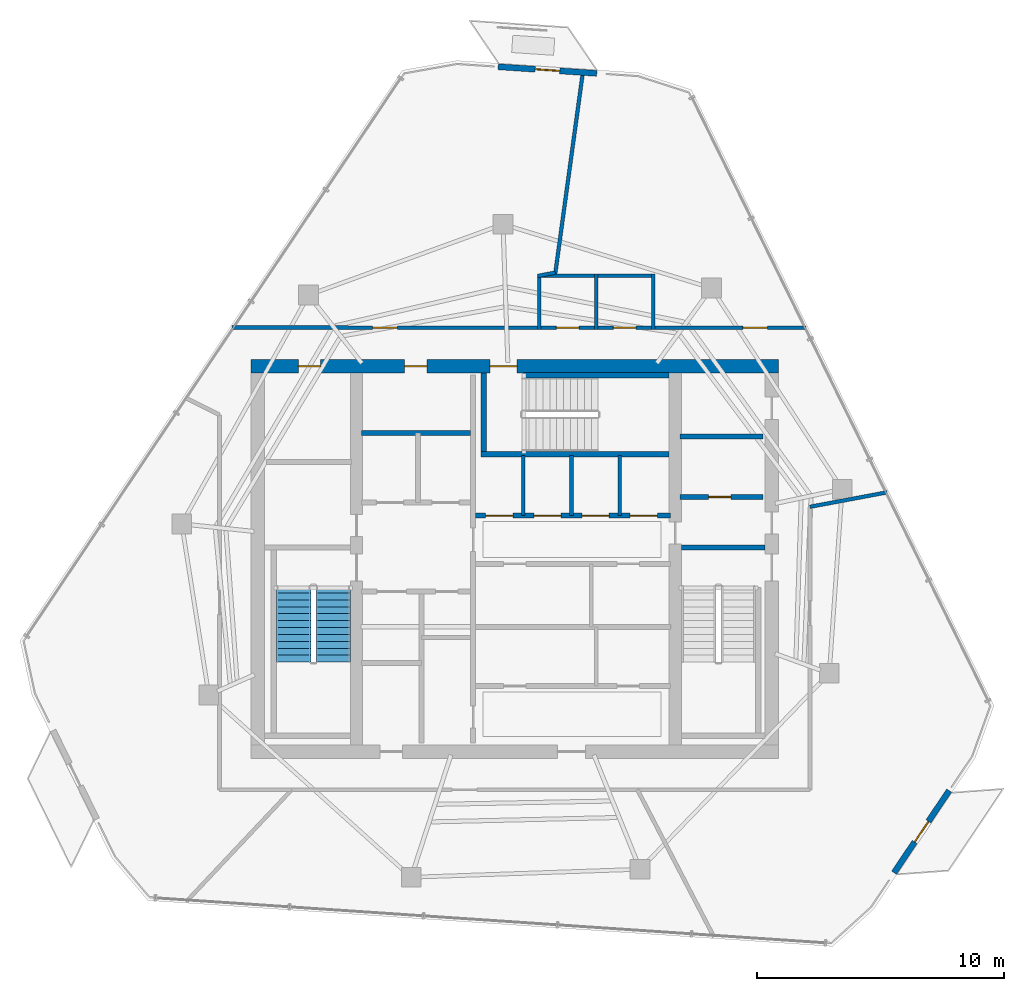
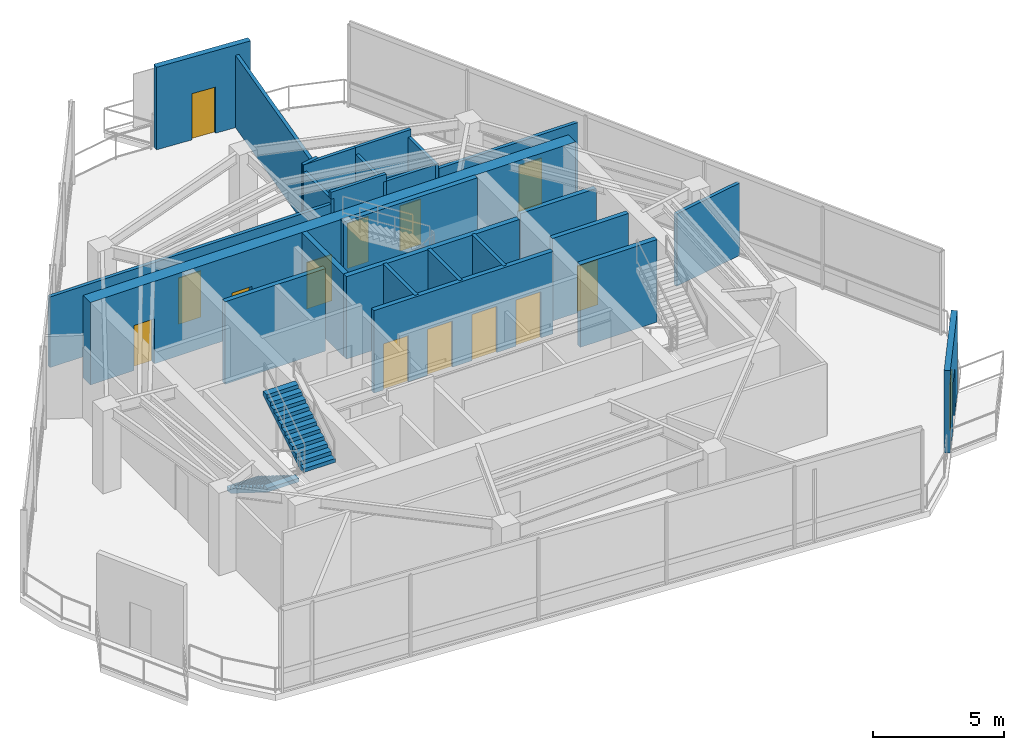
# One storey, part 15 of 18: 26 walls, 14 doors, 2 stair flights, 14 openings, 1 element without a shape of its own.
"""IFC4 building model written with IfcOpenShell, lengths in metres."""

from ifc_helpers import new_model, si_unit, direction, frame, frame_2d, origin, place, context, subcontext, project, spatial, polyline, rectangle, outline, extrude, material, layer, layer_set, type_object, element, fill, aggregate, save


model = new_model("IFC4")

# Units and contexts
model_context = context("Model", 3, precision=1e-05, world=origin(), true_north=direction((0.0, 1.0)))
body_context = subcontext(model_context, "Body", "Model", "MODEL_VIEW")
ifc_project = project(units=[si_unit("LENGTHUNIT", "METRE"), si_unit("AREAUNIT", "SQUARE_METRE"), si_unit("VOLUMEUNIT", "CUBIC_METRE"), si_unit("PLANEANGLEUNIT", "RADIAN"), si_unit("MASSUNIT", "GRAM", prefix="KILO")], contexts=[model_context])

# Site, building, storey
site_placement = place(None, origin())
site = spatial("IfcSite", under=ifc_project, at=site_placement, CompositionType="ELEMENT")
building_placement = place(site_placement, origin())
building = spatial("IfcBuilding", under=site, at=building_placement, Name="Qarnah Convention Tower", CompositionType="ELEMENT")
storey_placement = place(building_placement, frame((0.0, 0.0, 279.300048828125)))
storey = spatial("IfcBuildingStorey", under=building, at=storey_placement, Name="L75", CompositionType="ELEMENT", Elevation=279.300048828125)

# Wall, openings, doors
ifc_material_1 = material(Name="Concrete C60/75", Category="concrete")
ifc_layer_1 = layer(ifc_material_1, 0.550048828125)
ifc_layer_set_1 = layer_set([ifc_layer_1], Name="Concrete C60/75")
wall_type_1 = type_object("IfcWallType", Name="WL-CORE-550", PredefinedType="SHEAR", material=ifc_layer_set_1)
wall_1_placement = place(storey_placement, frame((26.52490234375, 34.199951171875, 0.0), z_axis=(0.0, 0.0, 1.0), x_axis=(1.0, 0.0, 0.0)))
wall_1 = element("IfcWall", 1, at=wall_1_placement, inside=storey, type_object=wall_type_1, Name="L75 core north shear wall", PredefinedType="SHEAR", context=body_context, shape_type="SweptSolid", body=[
    extrude(rectangle(XDim=21.35009765625, YDim=0.550048828125, at=frame_2d((10.675048828125, 0.0))), origin(), (0.0, 0.0, 1.0), 3.83984375),
])
opening_1_placement = place(wall_1_placement, frame((9.675048828125, 0.0, 0.0)))
opening_1 = element("IfcOpeningElement", 2, at=opening_1_placement, cuts=wall_1, Name="Opening D-7503", PredefinedType="OPENING", context=body_context, shape_type="SweptSolid", body=[
    extrude(rectangle(XDim=1.10009765625, YDim=2.14990234375, at=frame_2d((0.550048828125, 1.074951171875))), frame((0.0, 0.284912109375, 0.0), z_axis=(0.0, -1.0, 0.0), x_axis=(1.0, 0.0, 0.0)), (0.0, 0.0, 1.0), 0.570068359375),
])
opening_2_placement = place(wall_1_placement, frame((1.925048828125, 0.0, 0.0)))
opening_2 = element("IfcOpeningElement", 3, at=opening_2_placement, cuts=wall_1, Name="Opening D-7509", PredefinedType="OPENING", context=body_context, shape_type="SweptSolid", body=[
    extrude(rectangle(XDim=0.89990234375, YDim=2.10009765625, at=frame_2d((0.449951171875, 1.050048828125))), frame((0.0, 0.284912109375, 0.0), z_axis=(0.0, -1.0, 0.0), x_axis=(1.0, 0.0, 0.0)), (0.0, 0.0, 1.0), 0.570068359375),
])
opening_3_placement = place(wall_1_placement, frame((6.22509765625, 0.0, 0.0)))
opening_3 = element("IfcOpeningElement", 4, at=opening_3_placement, cuts=wall_1, Name="Opening D-7510", PredefinedType="OPENING", context=body_context, shape_type="SweptSolid", body=[
    extrude(rectangle(XDim=0.89990234375, YDim=2.10009765625, at=frame_2d((0.449951171875, 1.050048828125))), frame((0.0, 0.284912109375, 0.0), z_axis=(0.0, -1.0, 0.0), x_axis=(1.0, 0.0, 0.0)), (0.0, 0.0, 1.0), 0.570068359375),
])
ifc_material_2 = material(Name="Structural steel S355JR", Category="steel")
door_type_1 = type_object("IfcDoorType", Name="DT-RISER-900", OperationType="NOTDEFINED", PredefinedType="DOOR", material=ifc_material_2)
door_1_placement = place(opening_2_placement, origin())
door_1 = element("IfcDoor", 5, at=door_1_placement, inside=storey, type_object=door_type_1, Name="Door D-7509", OperationType="SINGLE_SWING_RIGHT", OverallHeight=2.10009765625, OverallWidth=0.89990234375, PredefinedType="DOOR", context=body_context, shape_type="SweptSolid", body=[
    extrude(rectangle(XDim=0.89990234375, YDim=2.10009765625, at=frame_2d((0.449951171875, 1.050048828125))), frame((0.0, 0.02490234375, 0.0), z_axis=(0.0, -1.0, 0.0), x_axis=(1.0, 0.0, 0.0)), (0.0, 0.0, 1.0), 0.050048828125),
])
fill(opening_2, door_1)
door_2_placement = place(opening_3_placement, origin())
door_2 = element("IfcDoor", 6, at=door_2_placement, inside=storey, type_object=door_type_1, Name="Door D-7510", OperationType="SINGLE_SWING_LEFT", OverallHeight=2.10009765625, OverallWidth=0.89990234375, PredefinedType="DOOR", context=body_context, shape_type="SweptSolid", body=[
    extrude(rectangle(XDim=0.89990234375, YDim=2.10009765625, at=frame_2d((0.449951171875, 1.050048828125))), frame((0.0, 0.02490234375, 0.0), z_axis=(0.0, -1.0, 0.0), x_axis=(1.0, 0.0, 0.0)), (0.0, 0.0, 1.0), 0.050048828125),
])
fill(opening_3, door_2)
door_type_2 = type_object("IfcDoorType", Name="DT-STAIR-1100", OperationType="NOTDEFINED", PredefinedType="DOOR", material=ifc_material_2)
door_3_placement = place(opening_1_placement, origin())
door_3 = element("IfcDoor", 7, at=door_3_placement, inside=storey, type_object=door_type_2, Name="Door D-7503", OperationType="SINGLE_SWING_RIGHT", OverallHeight=2.14990234375, OverallWidth=1.10009765625, PredefinedType="DOOR", context=body_context, shape_type="SweptSolid", body=[
    extrude(rectangle(XDim=1.10009765625, YDim=2.14990234375, at=frame_2d((0.550048828125, 1.074951171875))), frame((0.0, 0.02490234375, 0.0), z_axis=(0.0, -1.0, 0.0), x_axis=(1.0, 0.0, 0.0)), (0.0, 0.0, 1.0), 0.050048828125),
])
fill(opening_1, door_3)

# Wall, opening, door
ifc_material_3 = material(Name="Concrete C45/55", Category="concrete")
ifc_layer_2 = layer(ifc_material_3, 0.199951171875)
ifc_layer_set_2 = layer_set([ifc_layer_2], Name="Concrete C45/55")
wall_type_2 = type_object("IfcWallType", Name="WL-CORE-PART-200", PredefinedType="SOLIDWALL", material=ifc_layer_set_2)
wall_2_placement = place(storey_placement, frame((43.89990234375, 28.89990234375, 0.0), z_axis=(0.0, 0.0, 1.0), x_axis=(1.0, 0.0, 0.0)))
wall_2 = element("IfcWall", 8, at=wall_2_placement, inside=storey, type_object=wall_type_2, Name="L75 interior wall IW-L75-EVSTN", PredefinedType="SOLIDWALL", context=body_context, shape_type="SweptSolid", body=[
    extrude(rectangle(XDim=3.35009765625, YDim=0.199951171875, at=frame_2d((1.675048828125, 0.0))), origin(), (0.0, 0.0, 1.0), 3.83984375),
])
opening_4_placement = place(wall_2_placement, frame((1.14990234375, 0.0, 0.0)))
opening_4 = element("IfcOpeningElement", 9, at=opening_4_placement, cuts=wall_2, Name="Opening D-7511", PredefinedType="OPENING", context=body_context, shape_type="SweptSolid", body=[
    extrude(rectangle(XDim=0.89990234375, YDim=2.10009765625, at=frame_2d((0.449951171875, 1.050048828125))), frame((0.0, 0.10986328125, 0.0), z_axis=(0.0, -1.0, 0.0), x_axis=(1.0, 0.0, 0.0)), (0.0, 0.0, 1.0), 0.219970703125),
])
door_4_placement = place(opening_4_placement, origin())
door_4 = element("IfcDoor", 10, at=door_4_placement, inside=storey, type_object=door_type_1, Name="Door D-7511", OperationType="SINGLE_SWING_RIGHT", OverallHeight=2.10009765625, OverallWidth=0.89990234375, PredefinedType="DOOR", context=body_context, shape_type="SweptSolid", body=[
    extrude(rectangle(XDim=0.89990234375, YDim=2.10009765625, at=frame_2d((0.449951171875, 1.050048828125))), frame((0.0, 0.02490234375, 0.0), z_axis=(0.0, -1.0, 0.0), x_axis=(1.0, 0.0, 0.0)), (0.0, 0.0, 1.0), 0.050048828125),
])
fill(opening_4, door_4)

# Walls
wall_3_placement = place(storey_placement, frame((43.89990234375, 31.35009765625, 0.0), z_axis=(0.0, 0.0, 1.0), x_axis=(1.0, 0.0, 0.0)))
element("IfcWall", 11, at=wall_3_placement, inside=storey, type_object=wall_type_2, Name="L75 interior wall IW-L75-WTRN", PredefinedType="SOLIDWALL", context=body_context, shape_type="SweptSolid", body=[
    extrude(rectangle(XDim=3.35009765625, YDim=0.199951171875, at=frame_2d((1.675048828125, 0.0))), origin(), (0.0, 0.0, 1.0), 3.512939453125),
])
wall_4_placement = place(storey_placement, frame((31.0, 31.5, 0.0), z_axis=(0.0, 0.0, 1.0), x_axis=(1.0, 0.0, 0.0)))
element("IfcWall", 12, at=wall_4_placement, inside=storey, type_object=wall_type_2, Name="L75 interior wall IW-L75-FFLN", PredefinedType="SOLIDWALL", context=body_context, shape_type="SweptSolid", body=[
    extrude(rectangle(XDim=4.419921875, YDim=0.199951171875, at=frame_2d((2.2099609375, 0.0))), origin(), (0.0, 0.0, 1.0), 3.83984375),
])

# Wall, openings, doors
wall_5_placement = place(storey_placement, frame((35.6201171875, 28.14990234375, 0.0), z_axis=(0.0, 0.0, 1.0), x_axis=(1.0, 0.0, 0.0)))
wall_5 = element("IfcWall", 13, at=wall_5_placement, inside=storey, type_object=wall_type_2, Name="L75 interior wall IW-L75-PHS", PredefinedType="SOLIDWALL", context=body_context, shape_type="SweptSolid", body=[
    extrude(rectangle(XDim=7.8798828125, YDim=0.199951171875, at=frame_2d((3.93994140625, 0.0))), origin(), (0.0, 0.0, 1.0), 3.83984375),
])
opening_5_placement = place(wall_5_placement, frame((0.405029296875, 0.0, 0.0)))
opening_5 = element("IfcOpeningElement", 14, at=opening_5_placement, cuts=wall_5, Name="Opening LD-7504", PredefinedType="OPENING", context=body_context, shape_type="SweptSolid", body=[
    extrude(rectangle(XDim=1.10009765625, YDim=2.14990234375, at=frame_2d((0.550048828125, 1.074951171875))), frame((0.0, 0.10986328125, 0.0), z_axis=(0.0, -1.0, 0.0), x_axis=(1.0, 0.0, 0.0)), (0.0, 0.0, 1.0), 0.219970703125),
])
opening_6_placement = place(wall_5_placement, frame((2.35498046875, 0.0, 0.0)))
opening_6 = element("IfcOpeningElement", 15, at=opening_6_placement, cuts=wall_5, Name="Opening LD-7505", PredefinedType="OPENING", context=body_context, shape_type="SweptSolid", body=[
    extrude(rectangle(XDim=1.10009765625, YDim=2.14990234375, at=frame_2d((0.550048828125, 1.074951171875))), frame((0.0, 0.10986328125, 0.0), z_axis=(0.0, -1.0, 0.0), x_axis=(1.0, 0.0, 0.0)), (0.0, 0.0, 1.0), 0.219970703125),
])
opening_7_placement = place(wall_5_placement, frame((4.304931640625, 0.0, 0.0)))
opening_7 = element("IfcOpeningElement", 16, at=opening_7_placement, cuts=wall_5, Name="Opening LD-7506", PredefinedType="OPENING", context=body_context, shape_type="SweptSolid", body=[
    extrude(rectangle(XDim=1.10009765625, YDim=2.14990234375, at=frame_2d((0.550048828125, 1.074951171875))), frame((0.0, 0.10986328125, 0.0), z_axis=(0.0, -1.0, 0.0), x_axis=(1.0, 0.0, 0.0)), (0.0, 0.0, 1.0), 0.219970703125),
])
opening_8_placement = place(wall_5_placement, frame((6.2548828125, 0.0, 0.0)))
opening_8 = element("IfcOpeningElement", 17, at=opening_8_placement, cuts=wall_5, Name="Opening LD-7507", PredefinedType="OPENING", context=body_context, shape_type="SweptSolid", body=[
    extrude(rectangle(XDim=1.10009765625, YDim=2.14990234375, at=frame_2d((0.550048828125, 1.074951171875))), frame((0.0, 0.10986328125, 0.0), z_axis=(0.0, -1.0, 0.0), x_axis=(1.0, 0.0, 0.0)), (0.0, 0.0, 1.0), 0.219970703125),
])
door_type_3 = type_object("IfcDoorType", Name="DT-LIFT-1100", OperationType="SLIDING_TO_LEFT", PredefinedType="DOOR", material=ifc_material_2)
door_5_placement = place(opening_5_placement, origin())
door_5 = element("IfcDoor", 18, at=door_5_placement, inside=storey, type_object=door_type_3, Name="Door LD-7504", OperationType="SLIDING_TO_LEFT", OverallHeight=2.14990234375, OverallWidth=1.10009765625, PredefinedType="DOOR", context=body_context, shape_type="SweptSolid", body=[
    extrude(rectangle(XDim=1.10009765625, YDim=2.14990234375, at=frame_2d((0.550048828125, 1.074951171875))), frame((0.0, 0.02490234375, 0.0), z_axis=(0.0, -1.0, 0.0), x_axis=(1.0, 0.0, 0.0)), (0.0, 0.0, 1.0), 0.050048828125),
])
fill(opening_5, door_5)
door_6_placement = place(opening_6_placement, origin())
door_6 = element("IfcDoor", 19, at=door_6_placement, inside=storey, type_object=door_type_3, Name="Door LD-7505", OperationType="SLIDING_TO_LEFT", OverallHeight=2.14990234375, OverallWidth=1.10009765625, PredefinedType="DOOR", context=body_context, shape_type="SweptSolid", body=[
    extrude(rectangle(XDim=1.10009765625, YDim=2.14990234375, at=frame_2d((0.550048828125, 1.074951171875))), frame((0.0, 0.02490234375, 0.0), z_axis=(0.0, -1.0, 0.0), x_axis=(1.0, 0.0, 0.0)), (0.0, 0.0, 1.0), 0.050048828125),
])
fill(opening_6, door_6)
door_7_placement = place(opening_7_placement, origin())
door_7 = element("IfcDoor", 20, at=door_7_placement, inside=storey, type_object=door_type_3, Name="Door LD-7506", OperationType="SLIDING_TO_LEFT", OverallHeight=2.14990234375, OverallWidth=1.10009765625, PredefinedType="DOOR", context=body_context, shape_type="SweptSolid", body=[
    extrude(rectangle(XDim=1.10009765625, YDim=2.14990234375, at=frame_2d((0.550048828125, 1.074951171875))), frame((0.0, 0.02490234375, 0.0), z_axis=(0.0, -1.0, 0.0), x_axis=(1.0, 0.0, 0.0)), (0.0, 0.0, 1.0), 0.050048828125),
])
fill(opening_7, door_7)
door_8_placement = place(opening_8_placement, origin())
door_8 = element("IfcDoor", 21, at=door_8_placement, inside=storey, type_object=door_type_3, Name="Door LD-7507", OperationType="SLIDING_TO_LEFT", OverallHeight=2.14990234375, OverallWidth=1.10009765625, PredefinedType="DOOR", context=body_context, shape_type="SweptSolid", body=[
    extrude(rectangle(XDim=1.10009765625, YDim=2.14990234375, at=frame_2d((0.550048828125, 1.074951171875))), frame((0.0, 0.02490234375, 0.0), z_axis=(0.0, -1.0, 0.0), x_axis=(1.0, 0.0, 0.0)), (0.0, 0.0, 1.0), 0.050048828125),
])
fill(opening_8, door_8)

# Walls
ifc_layer_3 = layer(ifc_material_1, 0.219970703125)
ifc_layer_set_3 = layer_set([ifc_layer_3], Name="Concrete C60/75")
wall_type_3 = type_object("IfcWallType", Name="WL-CORE-STAIR-220", PredefinedType="SHEAR", material=ifc_layer_set_3)
wall_6_placement = place(storey_placement, frame((43.949951171875, 26.860107421875, 0.0), z_axis=(0.0, 0.0, 1.0), x_axis=(1.0, 0.0, 0.0)))
element("IfcWall", 22, at=wall_6_placement, inside=storey, type_object=wall_type_3, Name="L75 stair shaft shear wall SW-L75-ST2N", PredefinedType="SHEAR", context=body_context, shape_type="SweptSolid", body=[
    extrude(rectangle(XDim=3.375, YDim=0.219970703125, at=frame_2d((1.6875, 0.0))), origin(), (0.0, 0.0, 1.0), 3.83984375),
])
wall_7_placement = place(storey_placement, frame((35.840087890625, 30.639892578125, 0.0), z_axis=(0.0, 0.0, 1.0), x_axis=(1.0, 0.0, 0.0)))
element("IfcWall", 23, at=wall_7_placement, inside=storey, type_object=wall_type_3, Name="L75 stair shaft shear wall SW-L75-ST3S", PredefinedType="SHEAR", context=body_context, shape_type="SweptSolid", body=[
    extrude(rectangle(XDim=7.60986328125, YDim=0.219970703125, at=frame_2d((3.804931640625, 0.0))), origin(), (0.0, 0.0, 1.0), 3.83984375),
])
wall_8_placement = place(storey_placement, frame((35.93994140625, 30.75, 0.0), z_axis=(0.0, 0.0, 1.0), x_axis=(0.0, 1.0, 0.0)))
element("IfcWall", 24, at=wall_8_placement, inside=storey, type_object=wall_type_3, Name="L75 stair shaft shear wall SW-L75-ST3W", PredefinedType="SHEAR", context=body_context, shape_type="SweptSolid", body=[
    extrude(rectangle(XDim=3.175048828125, YDim=0.219970703125, at=frame_2d((1.58740234375, 0.0))), origin(), (0.0, 0.0, 1.0), 3.83984375),
])
wall_9_placement = place(storey_placement, frame((37.550048828125, 33.840087890625, 0.0), z_axis=(0.0, 0.0, 1.0), x_axis=(1.0, 0.0, 0.0)))
element("IfcWall", 25, at=wall_9_placement, inside=storey, type_object=wall_type_3, Name="L75 stair shaft shear wall SW-L75-ST3N", PredefinedType="SHEAR", context=body_context, shape_type="SweptSolid", body=[
    extrude(rectangle(XDim=5.89990234375, YDim=0.219970703125, at=frame_2d((2.949951171875, 0.0))), origin(), (0.0, 0.0, 1.0), 3.83984375),
])

# Wall, opening, door
ifc_material_4 = material(Name="Precast concrete C45/55", Category="concrete")
ifc_layer_4 = layer(ifc_material_4, 0.239990234375)
ifc_layer_set_4 = layer_set([ifc_layer_4], Name="Precast concrete C45/55")
wall_type_4 = type_object("IfcWallType", Name="WL-EXT-BAL-240", PredefinedType="SOLIDWALL", material=ifc_layer_set_4)
wall_10_placement = place(storey_placement, frame((36.531982421875, 46.318115234375, 0.0), z_axis=(0.0, 0.0, 1.0), x_axis=(0.997751814855, -0.067017281012, 0.0)))
wall_10 = element("IfcWall", 26, at=wall_10_placement, inside=storey, type_object=wall_type_4, Name="L75 loggia threshold wall BAL-L75-C1", PredefinedType="SOLIDWALL", context=body_context, shape_type="SweptSolid", body=[
    extrude(rectangle(XDim=4.0, YDim=0.239990234375, at=frame_2d((2.0, 0.0))), origin(), (0.0, 0.0, 1.0), 3.83984375),
])
opening_9_placement = place(wall_10_placement, frame((1.5, 0.0, 0.0)))
opening_9 = element("IfcOpeningElement", 27, at=opening_9_placement, cuts=wall_10, Name="Opening BD-7501", PredefinedType="OPENING", context=body_context, shape_type="SweptSolid", body=[
    extrude(rectangle(XDim=1.0, YDim=2.14990234375, at=frame_2d((0.5, 1.074951171875))), frame((0.0, 0.1298828125, 0.0), z_axis=(0.0, -1.0, 0.0), x_axis=(1.0, 0.0, 0.0)), (0.0, 0.0, 1.0), 0.260009765625),
])
ifc_material_5 = material(Name="Black anodised aluminium", Category="aluminium")
door_type_4 = type_object("IfcDoorType", Name="DT-BAL-1000", OperationType="NOTDEFINED", PredefinedType="DOOR", material=ifc_material_5)
door_9_placement = place(opening_9_placement, origin())
door_9 = element("IfcDoor", 28, at=door_9_placement, inside=storey, type_object=door_type_4, Name="L75 balcony terrace door BAL-L75-C1", OperationType="SINGLE_SWING_RIGHT", OverallHeight=2.14990234375, OverallWidth=1.0, PredefinedType="DOOR", context=body_context, shape_type="SweptSolid", body=[
    extrude(rectangle(XDim=1.0, YDim=2.14990234375, at=frame_2d((0.5, 1.074951171875))), frame((0.0, 0.02490234375, 0.0), z_axis=(0.0, -1.0, 0.0), x_axis=(1.0, 0.0, 0.0)), (0.0, 0.0, 1.0), 0.050048828125),
])
fill(opening_9, door_9)

wall_11_placement = place(storey_placement, frame((54.783935546875, 17.01904296875, 0.0), z_axis=(0.0, 0.0, 1.0), x_axis=(-0.557008009361, -0.830507120685, 0.0)))
wall_11 = element("IfcWall", 29, at=wall_11_placement, inside=storey, type_object=wall_type_4, Name="L75 loggia threshold wall BAL-L75-C3", PredefinedType="SOLIDWALL", context=body_context, shape_type="SweptSolid", body=[
    extrude(rectangle(XDim=4.0, YDim=0.239990234375, at=frame_2d((2.0, 0.0))), origin(), (0.0, 0.0, 1.0), 3.83984375),
])
opening_10_placement = place(wall_11_placement, frame((1.5, 0.0, 0.0)))
opening_10 = element("IfcOpeningElement", 30, at=opening_10_placement, cuts=wall_11, Name="Opening BD-7503", PredefinedType="OPENING", context=body_context, shape_type="SweptSolid", body=[
    extrude(rectangle(XDim=1.0, YDim=2.14990234375, at=frame_2d((0.5, 1.074951171875))), frame((0.0, 0.1298828125, 0.0), z_axis=(0.0, -1.0, 0.0), x_axis=(1.0, 0.0, 0.0)), (0.0, 0.0, 1.0), 0.260009765625),
])
door_10_placement = place(opening_10_placement, origin())
door_10 = element("IfcDoor", 31, at=door_10_placement, inside=storey, type_object=door_type_4, Name="L75 balcony terrace door BAL-L75-C3", OperationType="SINGLE_SWING_RIGHT", OverallHeight=2.14990234375, OverallWidth=1.0, PredefinedType="DOOR", context=body_context, shape_type="SweptSolid", body=[
    extrude(rectangle(XDim=1.0, YDim=2.14990234375, at=frame_2d((0.5, 1.074951171875))), frame((0.0, 0.02490234375, 0.0), z_axis=(0.0, -1.0, 0.0), x_axis=(1.0, 0.0, 0.0)), (0.0, 0.0, 1.0), 0.050048828125),
])
fill(opening_10, door_10)

# Walls
ifc_material_6 = material(Name="Gypsum partition board")
ifc_layer_5 = layer(ifc_material_6, 0.14990234375)
ifc_layer_set_5 = layer_set([ifc_layer_5], Name="Gypsum partition board")
wall_type_5 = type_object("IfcWallType", Name="WL-SUITE-150", PredefinedType="PARTITIONING", material=ifc_layer_set_5)
for number, where, z_axis, x_axis, name in (
    (32, (37.550048828125, 28.14990234375, 0.0), (0.0, 0.0, 1.0), (0.0, 1.0, 0.0), "L75 interior wall IW-L75-PHD1"),
    (33, (39.5, 28.14990234375, 0.0), (0.0, 0.0, 1.0), (0.0, 1.0, 0.0), "L75 interior wall IW-L75-PHD2"),
    (34, (41.449951171875, 28.14990234375, 0.0), (0.0, 0.0, 1.0), (0.0, 1.0, 0.0), "L75 interior wall IW-L75-PHD3"),
):
    element("IfcWall", number, at=place(storey_placement, frame(where, z_axis=z_axis, x_axis=x_axis)), inside=storey, type_object=wall_type_5, Name=name, PredefinedType="PARTITIONING", context=body_context, shape_type="SweptSolid", body=[
        extrude(rectangle(XDim=2.43017578125, YDim=0.14990234375, at=frame_2d((1.215087890625, 0.0))), origin(), (0.0, 0.0, 1.0), 3.83984375),
    ])
wall_12_placement = place(storey_placement, frame((39.967041015625, 46.14794921875, 0.0), z_axis=(0.0, 0.0, 1.0), x_axis=(-0.135865017465, -0.990727357566, 0.0)))
element("IfcWall", 35, at=wall_12_placement, inside=storey, type_object=wall_type_5, Name="L75 interior wall IW-L75-R-08", PredefinedType="PARTITIONING", context=body_context, shape_type="SweptSolid", body=[
    extrude(rectangle(XDim=8.37548828125, YDim=0.14990234375, at=frame_2d((4.187744140625, 0.0))), origin(), (0.0, 0.0, 1.0), 3.364990234375),
])

# Wall, opening, door
wall_13_placement = place(storey_placement, frame((42.8701171875, 35.75, 0.0), z_axis=(0.0, 0.0, 1.0), x_axis=(0.999999885753, 0.000478011418, 0.0)))
wall_13 = element("IfcWall", 36, at=wall_13_placement, inside=storey, type_object=wall_type_5, Name="L75 interior wall IW-L75-R-09", PredefinedType="PARTITIONING", context=body_context, shape_type="SweptSolid", body=[
    extrude(rectangle(XDim=6.12890625, YDim=0.14990234375, at=frame_2d((3.064453125, 0.0))), origin(), (0.0, 0.0, 1.0), 3.2890625),
])
opening_11_placement = place(wall_13_placement, frame((3.56103515625, 0.0, 0.0)))
opening_11 = element("IfcOpeningElement", 37, at=opening_11_placement, cuts=wall_13, Name="Opening D-7522", PredefinedType="OPENING", context=body_context, shape_type="SweptSolid", body=[
    extrude(rectangle(XDim=1.0, YDim=2.14990234375, at=frame_2d((0.5, 1.074951171875))), frame((0.0, 0.0849609375, 0.0), z_axis=(0.0, -1.0, 0.0), x_axis=(1.0, 0.0, 0.0)), (0.0, 0.0, 1.0), 0.169921875),
])
ifc_material_7 = material(Name="Oak timber veneer", Category="wood")
door_type_5 = type_object("IfcDoorType", Name="DT-OFFICE-1000", OperationType="NOTDEFINED", PredefinedType="DOOR", material=ifc_material_7)
door_11_placement = place(opening_11_placement, origin())
door_11 = element("IfcDoor", 38, at=door_11_placement, inside=storey, type_object=door_type_5, Name="Door D-7522", OperationType="SINGLE_SWING_LEFT", OverallHeight=2.14990234375, OverallWidth=1.0, PredefinedType="DOOR", context=body_context, shape_type="SweptSolid", body=[
    extrude(rectangle(XDim=1.0, YDim=2.14990234375, at=frame_2d((0.5, 1.074951171875))), frame((0.0, 0.02490234375, 0.0), z_axis=(0.0, -1.0, 0.0), x_axis=(1.0, 0.0, 0.0)), (0.0, 0.0, 1.0), 0.050048828125),
])
fill(opening_11, door_11)

wall_14_placement = place(storey_placement, frame((25.76708984375, 35.76611328125, 0.0), z_axis=(0.0, 0.0, 1.0), x_axis=(0.999999150616, -0.001303367904, 0.0)))
wall_14 = element("IfcWall", 39, at=wall_14_placement, inside=storey, type_object=wall_type_5, Name="L75 interior wall IW-L75-R-10", PredefinedType="PARTITIONING", context=body_context, shape_type="SweptSolid", body=[
    extrude(rectangle(XDim=12.36279296875, YDim=0.14990234375, at=frame_2d((6.181396484375, 0.0))), origin(), (0.0, 0.0, 1.0), 3.2890625),
])
opening_12_placement = place(wall_14_placement, frame((5.681884765625, 0.0, 0.0)))
opening_12 = element("IfcOpeningElement", 40, at=opening_12_placement, cuts=wall_14, Name="Opening D-7523", PredefinedType="OPENING", context=body_context, shape_type="SweptSolid", body=[
    extrude(rectangle(XDim=1.0, YDim=2.14990234375, at=frame_2d((0.5, 1.074951171875))), frame((0.0, 0.0849609375, 0.0), z_axis=(0.0, -1.0, 0.0), x_axis=(1.0, 0.0, 0.0)), (0.0, 0.0, 1.0), 0.169921875),
])
door_12_placement = place(opening_12_placement, origin())
door_12 = element("IfcDoor", 41, at=door_12_placement, inside=storey, type_object=door_type_5, Name="Door D-7523", OperationType="SINGLE_SWING_RIGHT", OverallHeight=2.14990234375, OverallWidth=1.0, PredefinedType="DOOR", context=body_context, shape_type="SweptSolid", body=[
    extrude(rectangle(XDim=1.0, YDim=2.14990234375, at=frame_2d((0.5, 1.074951171875))), frame((0.0, 0.02490234375, 0.0), z_axis=(0.0, -1.0, 0.0), x_axis=(1.0, 0.0, 0.0)), (0.0, 0.0, 1.0), 0.050048828125),
])
fill(opening_12, door_12)

# Walls
wall_15_placement = place(storey_placement, frame((38.1298828125, 37.85009765625, 0.0), z_axis=(0.0, 0.0, 1.0), x_axis=(0.982288834003, 0.187373014579, 0.0)))
element("IfcWall", 42, at=wall_15_placement, inside=storey, type_object=wall_type_5, Name="L75 interior wall IW-L75-R-11", PredefinedType="PARTITIONING", context=body_context, shape_type="SweptSolid", body=[
    extrude(rectangle(XDim=0.73095703125, YDim=0.14990234375, at=frame_2d((0.365478515625, 0.0))), origin(), (0.0, 0.0, 1.0), 3.83984375),
])
wall_16_placement = place(storey_placement, frame((52.27197265625, 29.092041015625, 0.0), z_axis=(0.0, 0.0, 1.0), x_axis=(-0.982896541784, -0.184158595098, 0.0)))
element("IfcWall", 43, at=wall_16_placement, inside=storey, type_object=wall_type_5, Name="L75 interior wall IW-L75-R-18", PredefinedType="PARTITIONING", context=body_context, shape_type="SweptSolid", body=[
    extrude(rectangle(XDim=3.176513671875, YDim=0.14990234375, at=frame_2d((1.58837890625, 0.0))), origin(), (0.0, 0.0, 1.0), 3.364990234375),
])

# Wall, opening, door
ifc_layer_6 = layer(ifc_material_6, 0.139892578125)
ifc_layer_set_6 = layer_set([ifc_layer_6], Name="Gypsum partition board")
wall_type_6 = type_object("IfcWallType", Name="WL-WET-140", PredefinedType="PARTITIONING", material=ifc_layer_set_6)
wall_17_placement = place(storey_placement, frame((38.1298828125, 35.75, 0.0), z_axis=(0.0, 0.0, 1.0), x_axis=(1.0, 0.0, 0.0)))
wall_17 = element("IfcWall", 44, at=wall_17_placement, inside=storey, type_object=wall_type_6, Name="L75 interior wall IW-L75-WCM-1", PredefinedType="PARTITIONING", context=body_context, shape_type="SweptSolid", body=[
    extrude(rectangle(XDim=2.440185546875, YDim=0.139892578125, at=frame_2d((1.22021484375, 0.0))), origin(), (0.0, 0.0, 1.0), 3.83984375),
])
opening_13_placement = place(wall_17_placement, frame((0.760009765625, 0.0, 0.0)))
opening_13 = element("IfcOpeningElement", 45, at=opening_13_placement, cuts=wall_17, Name="Opening D-7520", PredefinedType="OPENING", context=body_context, shape_type="SweptSolid", body=[
    extrude(rectangle(XDim=0.919921875, YDim=2.10009765625, at=frame_2d((0.4599609375, 1.050048828125))), frame((0.0, 0.079833984375, 0.0), z_axis=(0.0, -1.0, 0.0), x_axis=(1.0, 0.0, 0.0)), (0.0, 0.0, 1.0), 0.159912109375),
])
door_type_6 = type_object("IfcDoorType", Name="DT-WC-920", OperationType="NOTDEFINED", PredefinedType="DOOR", material=ifc_material_7)
door_13_placement = place(opening_13_placement, origin())
door_13 = element("IfcDoor", 46, at=door_13_placement, inside=storey, type_object=door_type_6, Name="Door D-7520", OperationType="SINGLE_SWING_LEFT", OverallHeight=2.10009765625, OverallWidth=0.919921875, PredefinedType="DOOR", context=body_context, shape_type="SweptSolid", body=[
    extrude(rectangle(XDim=0.919921875, YDim=2.10009765625, at=frame_2d((0.4599609375, 1.050048828125))), frame((0.0, 0.02490234375, 0.0), z_axis=(0.0, -1.0, 0.0), x_axis=(1.0, 0.0, 0.0)), (0.0, 0.0, 1.0), 0.050048828125),
])
fill(opening_13, door_13)

# Walls
wall_18_placement = place(storey_placement, frame((40.5, 35.679931640625, 0.0), z_axis=(0.0, 0.0, 1.0), x_axis=(0.0, 1.0, 0.0)))
element("IfcWall", 47, at=wall_18_placement, inside=storey, type_object=wall_type_6, Name="L75 interior wall IW-L75-WCM-2", PredefinedType="PARTITIONING", context=body_context, shape_type="SweptSolid", body=[
    extrude(rectangle(XDim=2.239990234375, YDim=0.139892578125, at=frame_2d((1.1201171875, 0.0))), origin(), (0.0, 0.0, 1.0), 3.512939453125),
])
wall_19_placement = place(storey_placement, frame((40.570068359375, 37.85009765625, 0.0), z_axis=(0.0, 0.0, 1.0), x_axis=(-1.0, 0.0, 0.0)))
element("IfcWall", 48, at=wall_19_placement, inside=storey, type_object=wall_type_6, Name="L75 interior wall IW-L75-WCM-3", PredefinedType="PARTITIONING", context=body_context, shape_type="SweptSolid", body=[
    extrude(rectangle(XDim=2.440185546875, YDim=0.139892578125, at=frame_2d((1.22021484375, 0.0))), origin(), (0.0, 0.0, 1.0), 3.83984375),
])
wall_20_placement = place(storey_placement, frame((38.199951171875, 37.919921875, 0.0), z_axis=(0.0, 0.0, 1.0), x_axis=(0.0, -1.0, 0.0)))
element("IfcWall", 49, at=wall_20_placement, inside=storey, type_object=wall_type_6, Name="L75 interior wall IW-L75-WCM-4", PredefinedType="PARTITIONING", context=body_context, shape_type="SweptSolid", body=[
    extrude(rectangle(XDim=2.239990234375, YDim=0.139892578125, at=frame_2d((1.1201171875, 0.0))), origin(), (0.0, 0.0, 1.0), 3.512939453125),
])

# Wall, opening, door
wall_21_placement = place(storey_placement, frame((40.429931640625, 35.75, 0.0), z_axis=(0.0, 0.0, 1.0), x_axis=(1.0, 0.0, 0.0)))
wall_21 = element("IfcWall", 50, at=wall_21_placement, inside=storey, type_object=wall_type_6, Name="L75 interior wall IW-L75-WCF-1", PredefinedType="PARTITIONING", context=body_context, shape_type="SweptSolid", body=[
    extrude(rectangle(XDim=2.440185546875, YDim=0.139892578125, at=frame_2d((1.22021484375, 0.0))), origin(), (0.0, 0.0, 1.0), 3.512939453125),
])
opening_14_placement = place(wall_21_placement, frame((0.760009765625, 0.0, 0.0)))
opening_14 = element("IfcOpeningElement", 51, at=opening_14_placement, cuts=wall_21, Name="Opening D-7521", PredefinedType="OPENING", context=body_context, shape_type="SweptSolid", body=[
    extrude(rectangle(XDim=0.919921875, YDim=2.10009765625, at=frame_2d((0.4599609375, 1.050048828125))), frame((0.0, 0.079833984375, 0.0), z_axis=(0.0, -1.0, 0.0), x_axis=(1.0, 0.0, 0.0)), (0.0, 0.0, 1.0), 0.159912109375),
])
door_14_placement = place(opening_14_placement, origin())
door_14 = element("IfcDoor", 52, at=door_14_placement, inside=storey, type_object=door_type_6, Name="Door D-7521", OperationType="SINGLE_SWING_RIGHT", OverallHeight=2.10009765625, OverallWidth=0.919921875, PredefinedType="DOOR", context=body_context, shape_type="SweptSolid", body=[
    extrude(rectangle(XDim=0.919921875, YDim=2.10009765625, at=frame_2d((0.4599609375, 1.050048828125))), frame((0.0, 0.02490234375, 0.0), z_axis=(0.0, -1.0, 0.0), x_axis=(1.0, 0.0, 0.0)), (0.0, 0.0, 1.0), 0.050048828125),
])
fill(opening_14, door_14)

# Walls
wall_22_placement = place(storey_placement, frame((42.800048828125, 35.679931640625, 0.0), z_axis=(0.0, 0.0, 1.0), x_axis=(0.0, 1.0, 0.0)))
element("IfcWall", 53, at=wall_22_placement, inside=storey, type_object=wall_type_6, Name="L75 interior wall IW-L75-WCF-2", PredefinedType="PARTITIONING", context=body_context, shape_type="SweptSolid", body=[
    extrude(rectangle(XDim=2.239990234375, YDim=0.139892578125, at=frame_2d((1.1201171875, 0.0))), origin(), (0.0, 0.0, 1.0), 3.512939453125),
])
wall_23_placement = place(storey_placement, frame((42.8701171875, 37.85009765625, 0.0), z_axis=(0.0, 0.0, 1.0), x_axis=(-1.0, 0.0, 0.0)))
element("IfcWall", 54, at=wall_23_placement, inside=storey, type_object=wall_type_6, Name="L75 interior wall IW-L75-WCF-3", PredefinedType="PARTITIONING", context=body_context, shape_type="SweptSolid", body=[
    extrude(rectangle(XDim=2.440185546875, YDim=0.139892578125, at=frame_2d((1.22021484375, 0.0))), origin(), (0.0, 0.0, 1.0), 3.83984375),
])

# Stair, stair flights
ifc_material_8 = material(Name="Concrete C50/60", Category="concrete")
stair_type = type_object("IfcStairType", Name="STR-SUM", PredefinedType="HALF_TURN_STAIR", material=ifc_material_8)
stair_placement = place(storey_placement, origin())
stair = element("IfcStair", 55, at=stair_placement, inside=storey, type_object=stair_type, Name="L75 Core exit stair ST-1", PredefinedType="HALF_TURN_STAIR")
stair_flight_type = type_object("IfcStairFlightType", Name="FLT-SUM", PredefinedType="STRAIGHT", material=ifc_material_8)
stair_flight_1_placement = place(storey_placement, frame((28.25, 25.300048828125, 0.0), z_axis=(0.0, 0.0, 1.0), x_axis=(0.0, -1.0, 0.0)))
stair_flight_1 = element("IfcStairFlight", 56, at=stair_flight_1_placement, type_object=stair_flight_type, Name="ST-1 flight 1", NumberOfRisers=12, NumberOfTreads=11, PredefinedType="STRAIGHT", RiserHeight=0.175, TreadLength=0.28, context=body_context, shape_type="SweptSolid", body=[
    extrude(outline(polyline([(0.0, 0.0), (0.0, 0.175048828125), (0.280029296875, 0.175048828125), (0.280029296875, 0.35009765625), (0.56005859375, 0.35009765625), (0.56005859375, 0.52490234375), (0.840087890625, 0.52490234375), (0.840087890625, 0.699951171875), (1.1201171875, 0.699951171875), (1.1201171875, 0.875), (1.39990234375, 0.875), (1.39990234375, 1.050048828125), (1.679931640625, 1.050048828125), (1.679931640625, 1.22509765625), (1.9599609375, 1.22509765625), (1.9599609375, 1.39990234375), (2.239990234375, 1.39990234375), (2.239990234375, 1.574951171875), (2.52001953125, 1.574951171875), (2.52001953125, 1.75), (2.800048828125, 1.75), (2.800048828125, 1.925048828125), (3.080078125, 1.925048828125), (3.080078125, 2.10009765625), (3.080078125, 1.748291015625), (0.28271484375, 0.0), (0.0, 0.0)])), frame((0.0, 0.699951171875, 0.0), z_axis=(0.0, -1.0, 0.0), x_axis=(1.0, 0.0, 0.0)), (0.0, 0.0, 1.0), 1.39990234375),
])
stair_flight_2_placement = place(storey_placement, frame((29.85009765625, 22.219970703125, 2.099853515625), z_axis=(0.0, 0.0, 1.0), x_axis=(0.0, 1.0, 0.0)))
stair_flight_2 = element("IfcStairFlight", 57, at=stair_flight_2_placement, type_object=stair_flight_type, Name="ST-1 flight 2", NumberOfRisers=12, NumberOfTreads=11, PredefinedType="STRAIGHT", RiserHeight=0.175, TreadLength=0.28, context=body_context, shape_type="SweptSolid", body=[
    extrude(outline(polyline([(0.0, 0.0), (0.0, 0.175048828125), (0.280029296875, 0.175048828125), (0.280029296875, 0.35009765625), (0.56005859375, 0.35009765625), (0.56005859375, 0.52490234375), (0.840087890625, 0.52490234375), (0.840087890625, 0.699951171875), (1.1201171875, 0.699951171875), (1.1201171875, 0.875), (1.39990234375, 0.875), (1.39990234375, 1.050048828125), (1.679931640625, 1.050048828125), (1.679931640625, 1.22509765625), (1.9599609375, 1.22509765625), (1.9599609375, 1.39990234375), (2.239990234375, 1.39990234375), (2.239990234375, 1.574951171875), (2.52001953125, 1.574951171875), (2.52001953125, 1.75), (2.800048828125, 1.75), (2.800048828125, 1.925048828125), (3.080078125, 1.925048828125), (3.080078125, 2.10009765625), (3.080078125, 1.748291015625), (0.28271484375, 0.0), (0.0, 0.0)])), frame((0.0, 0.699951171875, 0.0), z_axis=(0.0, -1.0, 0.0), x_axis=(1.0, 0.0, 0.0)), (0.0, 0.0, 1.0), 1.39990234375),
])
aggregate(stair, [stair_flight_1, stair_flight_2])

save(model, "model.ifc")
